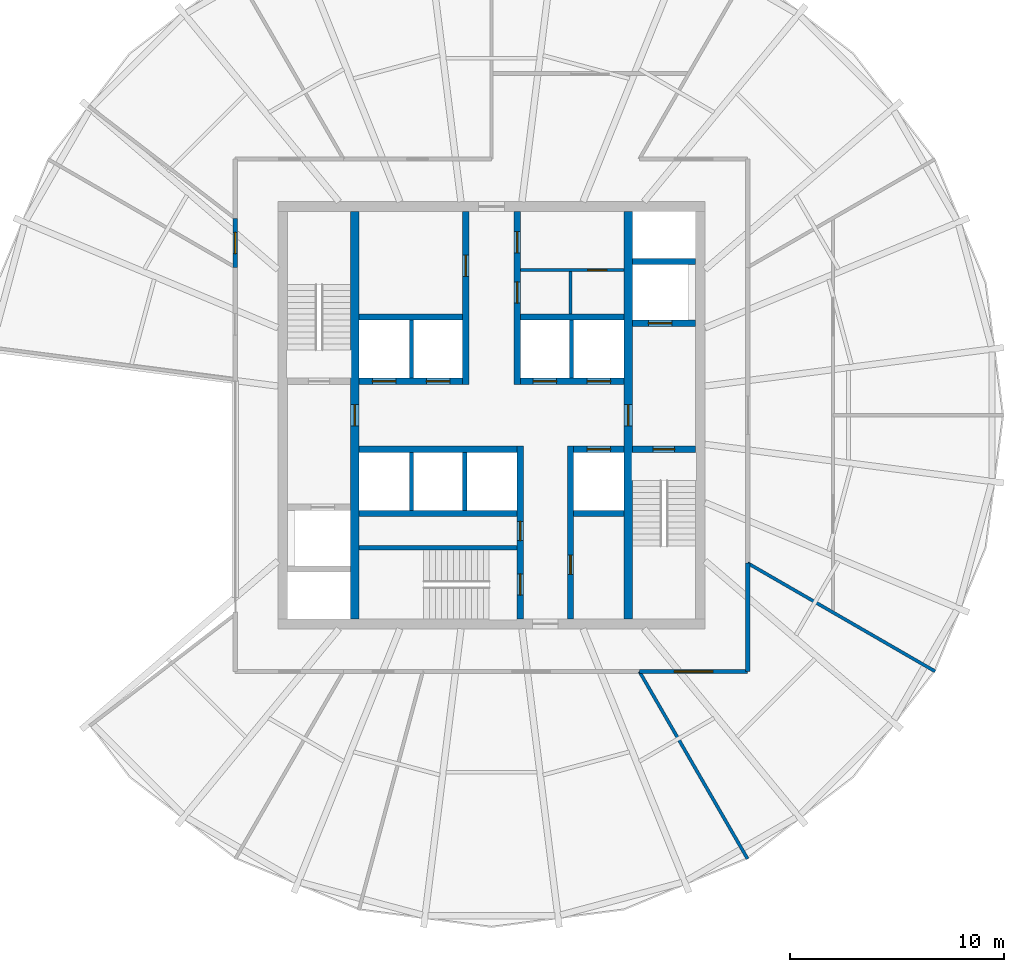
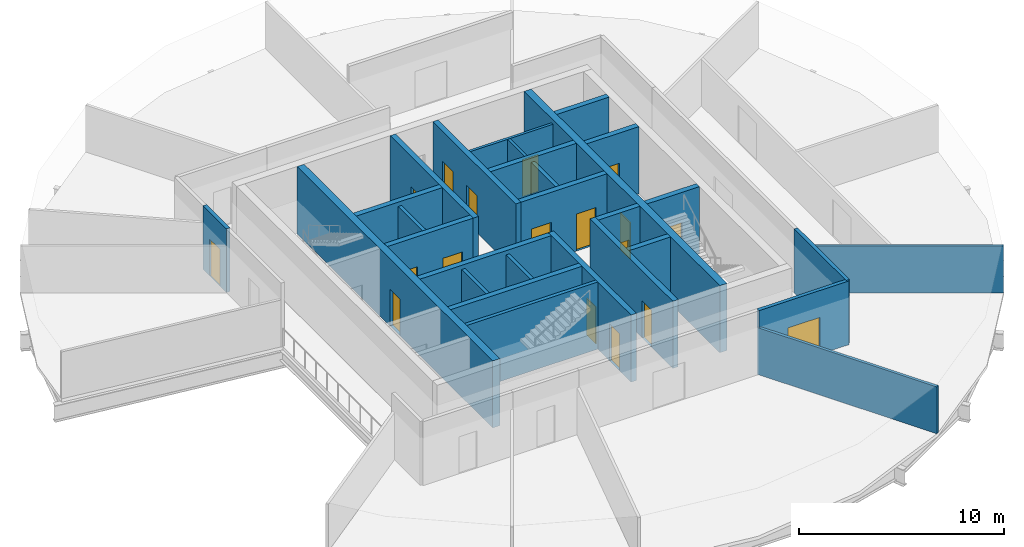
# One storey, part 3 of 5: 29 walls, 18 doors, 18 openings.
"""IFC4 building model written with IfcOpenShell, lengths in metres."""

from ifc_helpers import new_model, si_unit, direction, frame, frame_2d, origin, place, context, subcontext, project, spatial, rectangle, extrude, material, layer, layer_set, type_object, element, fill, save


model = new_model("IFC4")

# Units and contexts
model_context = context("Model", 3, precision=1e-05, world=origin(), true_north=direction((0.0, 1.0)))
body_context = subcontext(model_context, "Body", "Model", "MODEL_VIEW")
ifc_project = project(units=[si_unit("LENGTHUNIT", "METRE"), si_unit("AREAUNIT", "SQUARE_METRE"), si_unit("VOLUMEUNIT", "CUBIC_METRE"), si_unit("PLANEANGLEUNIT", "RADIAN"), si_unit("MASSUNIT", "GRAM", prefix="KILO")], contexts=[model_context])

# Site, building, storey
site_placement = place(None, origin())
site = spatial("IfcSite", under=ifc_project, at=site_placement, CompositionType="ELEMENT")
building_placement = place(site_placement, origin())
building = spatial("IfcBuilding", under=site, at=building_placement, Name="Golbaran Civic Tower", CompositionType="ELEMENT")
storey_placement = place(building_placement, frame((0.0, 0.0, 175.0)))
storey = spatial("IfcBuildingStorey", under=building, at=storey_placement, Name="L42", CompositionType="ELEMENT", Elevation=175.0)

# Wall, opening, door
ifc_material_1 = material(Name="Concrete block", Category="concrete")
ifc_layer_1 = layer(ifc_material_1, 0.14990234375, Name="Concrete block")
ifc_layer_set_1 = layer_set([ifc_layer_1], Name="Concrete block")
wall_type_1 = type_object("IfcWallType", Name="BLOCKWORK PARTITION 150", PredefinedType="PARTITIONING", material=ifc_layer_set_1)
wall_1_placement = place(storey_placement, frame((1.35009765625, 6.800048828125, 0.0), z_axis=(0.0, 0.0, 1.0), x_axis=(1.0, 0.0, 0.0)))
wall_1 = element("IfcWall", 1, at=wall_1_placement, inside=storey, type_object=wall_type_1, Name="Toilet block partition TN1 L42", PredefinedType="PARTITIONING", context=body_context, shape_type="SweptSolid", body=[
    extrude(rectangle(XDim=4.849853515625, YDim=0.14990234375, at=frame_2d((2.4248046875, 0.0))), origin(), (0.0, 0.0, 1.0), 3.75),
])
opening_1_placement = place(wall_1_placement, frame((3.14990234375, 0.0, 0.0)))
opening_1 = element("IfcOpeningElement", 2, at=opening_1_placement, cuts=wall_1, Name="Opening L42.CLN", PredefinedType="OPENING", context=body_context, shape_type="SweptSolid", body=[
    extrude(rectangle(XDim=0.89990234375, YDim=2.199951171875, at=frame_2d((0.449951171875, 1.10009765625))), frame((0.0, 0.0849609375, 0.0), z_axis=(0.0, -1.0, 0.0), x_axis=(1.0, 0.0, 0.0)), (0.0, 0.0, 1.0), 0.169921875),
])
ifc_material_2 = material(Name="Timber door set in steel frame", Category="steel")
door_type_1 = type_object("IfcDoorType", Name="RISER DOOR 900x2200", OperationType="SINGLE_SWING_LEFT", PredefinedType="DOOR", material=ifc_material_2)
door_1_placement = place(opening_1_placement, origin())
door_1 = element("IfcDoor", 3, at=door_1_placement, inside=storey, type_object=door_type_1, Name="Cleaner's Store door", OperationType="SINGLE_SWING_RIGHT", OverallHeight=2.199951171875, OverallWidth=0.89990234375, PredefinedType="DOOR", context=body_context, shape_type="SweptSolid", body=[
    extrude(rectangle(XDim=0.89990234375, YDim=2.199951171875, at=frame_2d((0.449951171875, 1.10009765625))), frame((0.0, 0.02490234375, 0.0), z_axis=(0.0, -1.0, 0.0), x_axis=(1.0, 0.0, 0.0)), (0.0, 0.0, 1.0), 0.050048828125),
])
fill(opening_1, door_1)

# Wall
wall_2_placement = place(storey_placement, frame((3.699951171875, 4.75, 0.0), z_axis=(0.0, 0.0, 1.0), x_axis=(0.0, 1.0, 0.0)))
element("IfcWall", 4, at=wall_2_placement, inside=storey, type_object=wall_type_1, Name="Toilet block partition TN2 L42", PredefinedType="PARTITIONING", context=body_context, shape_type="SweptSolid", body=[
    extrude(rectangle(XDim=1.97509765625, YDim=0.14990234375, at=frame_2d((0.987548828125, 0.0))), origin(), (0.0, 0.0, 1.0), 3.75),
])

# Wall, opening, door
ifc_material_3 = material(Name="Concrete C50/60", Category="concrete")
ifc_layer_2 = layer(ifc_material_3, 0.39990234375, Name="Concrete C50/60")
ifc_layer_set_2 = layer_set([ifc_layer_2], Name="Concrete C50/60")
wall_type_2 = type_object("IfcWallType", Name="CORE WALL CONCRETE 400", PredefinedType="SOLIDWALL", material=ifc_layer_set_2)
wall_3_placement = place(storey_placement, frame((-6.39990234375, -9.550048828125, 0.0), z_axis=(0.0, 0.0, 1.0), x_axis=(0.0, 1.0, 0.0)))
wall_3 = element("IfcWall", 5, at=wall_3_placement, inside=storey, type_object=wall_type_2, Name="Core wall IW L42", PredefinedType="SOLIDWALL", context=body_context, shape_type="SweptSolid", body=[
    extrude(rectangle(XDim=19.10009765625, YDim=0.39990234375, at=frame_2d((9.550048828125, 0.0))), origin(), (0.0, 0.0, 1.0), 4.0),
])
opening_2_placement = place(wall_3_placement, frame((9.050048828125, 0.0, 0.0)))
opening_2 = element("IfcOpeningElement", 6, at=opening_2_placement, cuts=wall_3, Name="Opening L42.FL1", PredefinedType="OPENING", context=body_context, shape_type="SweptSolid", body=[
    extrude(rectangle(XDim=1.0, YDim=2.199951171875, at=frame_2d((0.5, 1.10009765625))), frame((0.0, 0.2099609375, 0.0), z_axis=(0.0, -1.0, 0.0), x_axis=(1.0, 0.0, 0.0)), (0.0, 0.0, 1.0), 0.419921875),
])
door_type_2 = type_object("IfcDoorType", Name="STAIR DOOR 1000x2200", OperationType="SINGLE_SWING_LEFT", PredefinedType="DOOR", material=ifc_material_2)
door_2_placement = place(opening_2_placement, origin())
door_2 = element("IfcDoor", 7, at=door_2_placement, inside=storey, type_object=door_type_2, Name="Fire-fighting lobby FL1 door", OperationType="SINGLE_SWING_LEFT", OverallHeight=2.199951171875, OverallWidth=1.0, PredefinedType="DOOR", context=body_context, shape_type="SweptSolid", body=[
    extrude(rectangle(XDim=1.0, YDim=2.199951171875, at=frame_2d((0.5, 1.10009765625))), frame((0.0, 0.02490234375, 0.0), z_axis=(0.0, -1.0, 0.0), x_axis=(1.0, 0.0, 0.0)), (0.0, 0.0, 1.0), 0.050048828125),
])
fill(opening_2, door_2)

wall_4_placement = place(storey_placement, frame((6.39990234375, 9.550048828125, 0.0), z_axis=(0.0, 0.0, 1.0), x_axis=(0.0, -1.0, 0.0)))
wall_4 = element("IfcWall", 8, at=wall_4_placement, inside=storey, type_object=wall_type_2, Name="Core wall IE L42", PredefinedType="SOLIDWALL", context=body_context, shape_type="SweptSolid", body=[
    extrude(rectangle(XDim=19.10009765625, YDim=0.39990234375, at=frame_2d((9.550048828125, 0.0))), origin(), (0.0, 0.0, 1.0), 4.0),
])
opening_3_placement = place(wall_4_placement, frame((9.050048828125, 0.0, 0.0)))
opening_3 = element("IfcOpeningElement", 9, at=opening_3_placement, cuts=wall_4, Name="Opening L42.FL2", PredefinedType="OPENING", context=body_context, shape_type="SweptSolid", body=[
    extrude(rectangle(XDim=1.0, YDim=2.199951171875, at=frame_2d((0.5, 1.10009765625))), frame((0.0, 0.2099609375, 0.0), z_axis=(0.0, -1.0, 0.0), x_axis=(1.0, 0.0, 0.0)), (0.0, 0.0, 1.0), 0.419921875),
])
door_3_placement = place(opening_3_placement, origin())
door_3 = element("IfcDoor", 10, at=door_3_placement, inside=storey, type_object=door_type_2, Name="Fire-fighting lobby FL2 door", OperationType="SINGLE_SWING_RIGHT", OverallHeight=2.199951171875, OverallWidth=1.0, PredefinedType="DOOR", context=body_context, shape_type="SweptSolid", body=[
    extrude(rectangle(XDim=1.0, YDim=2.199951171875, at=frame_2d((0.5, 1.10009765625))), frame((0.0, 0.02490234375, 0.0), z_axis=(0.0, -1.0, 0.0), x_axis=(1.0, 0.0, 0.0)), (0.0, 0.0, 1.0), 0.050048828125),
])
fill(opening_3, door_3)

ifc_material_4 = material(Name="Gypsum board on steel studs, fire-rated", Category="steel")
ifc_layer_3 = layer(ifc_material_4, 0.199951171875, Name="Gypsum board on steel studs, fire-rated")
ifc_layer_set_3 = layer_set([ifc_layer_3], Name="Gypsum board on steel studs, fire-rated")
wall_type_3 = type_object("IfcWallType", Name="CORRIDOR WALL 200", PredefinedType="PARTITIONING", material=ifc_layer_set_3)
wall_5_placement = place(storey_placement, frame((-12.0, 9.2080078125, 0.0), z_axis=(0.0, 0.0, 1.0), x_axis=(0.0, -1.0, 0.0)))
wall_5 = element("IfcWall", 11, at=wall_5_placement, inside=storey, type_object=wall_type_3, Name="Corridor wall L42", PredefinedType="PARTITIONING", context=body_context, shape_type="SweptSolid", body=[
    extrude(rectangle(XDim=2.27978515625, YDim=0.199951171875, at=frame_2d((1.139892578125, 0.0))), origin(), (0.0, 0.0, 1.0), 3.800048828125),
])
opening_4_placement = place(wall_5_placement, frame((0.639892578125, 0.0, 0.0)))
opening_4 = element("IfcOpeningElement", 12, at=opening_4_placement, cuts=wall_5, Name="Opening L42.08", PredefinedType="OPENING", context=body_context, shape_type="SweptSolid", body=[
    extrude(rectangle(XDim=1.0, YDim=2.199951171875, at=frame_2d((0.5, 1.10009765625))), frame((0.0, 0.10986328125, 0.0), z_axis=(0.0, -1.0, 0.0), x_axis=(1.0, 0.0, 0.0)), (0.0, 0.0, 1.0), 0.219970703125),
])
door_type_3 = type_object("IfcDoorType", Name="OFFICE DOOR 1000x2200", OperationType="SINGLE_SWING_LEFT", PredefinedType="DOOR", material=ifc_material_2)
door_4_placement = place(opening_4_placement, origin())
door_4 = element("IfcDoor", 13, at=door_4_placement, inside=storey, type_object=door_type_3, Name="Store door L42", OperationType="SINGLE_SWING_RIGHT", OverallHeight=2.199951171875, OverallWidth=1.0, PredefinedType="DOOR", context=body_context, shape_type="SweptSolid", body=[
    extrude(rectangle(XDim=1.0, YDim=2.199951171875, at=frame_2d((0.5, 1.10009765625))), frame((0.0, 0.02490234375, 0.0), z_axis=(0.0, -1.0, 0.0), x_axis=(1.0, 0.0, 0.0)), (0.0, 0.0, 1.0), 0.050048828125),
])
fill(opening_4, door_4)

wall_6_placement = place(storey_placement, frame((6.92822265625, -12.0, 0.0), z_axis=(0.0, 0.0, 1.0), x_axis=(1.0, 0.0, 0.0)))
wall_6 = element("IfcWall", 14, at=wall_6_placement, inside=storey, type_object=wall_type_3, Name="Corridor wall L42", PredefinedType="PARTITIONING", context=body_context, shape_type="SweptSolid", body=[
    extrude(rectangle(XDim=5.07177734375, YDim=0.199951171875, at=frame_2d((2.535888671875, 0.0))), origin(), (0.0, 0.0, 1.0), 3.800048828125),
])
opening_5_placement = place(wall_6_placement, frame((1.635986328125, 0.0, 0.0)))
opening_5 = element("IfcOpeningElement", 15, at=opening_5_placement, cuts=wall_6, Name="Opening L42.13", PredefinedType="OPENING", context=body_context, shape_type="SweptSolid", body=[
    extrude(rectangle(XDim=1.800048828125, YDim=2.199951171875, at=frame_2d((0.89990234375, 1.10009765625))), frame((0.0, 0.10986328125, 0.0), z_axis=(0.0, -1.0, 0.0), x_axis=(1.0, 0.0, 0.0)), (0.0, 0.0, 1.0), 0.219970703125),
])
door_type_4 = type_object("IfcDoorType", Name="OFFICE DOUBLE DOOR 1800x2200", OperationType="DOUBLE_DOOR_SINGLE_SWING", PredefinedType="DOOR", material=ifc_material_2)
door_5_placement = place(opening_5_placement, origin())
door_5 = element("IfcDoor", 16, at=door_5_placement, inside=storey, type_object=door_type_4, Name="Open Office door L42", OperationType="DOUBLE_DOOR_SINGLE_SWING", OverallHeight=2.199951171875, OverallWidth=1.800048828125, PredefinedType="DOOR", context=body_context, shape_type="SweptSolid", body=[
    extrude(rectangle(XDim=1.800048828125, YDim=2.199951171875, at=frame_2d((0.89990234375, 1.10009765625))), frame((0.0, 0.02490234375, 0.0), z_axis=(0.0, -1.0, 0.0), x_axis=(1.0, 0.0, 0.0)), (0.0, 0.0, 1.0), 0.050048828125),
])
fill(opening_5, door_5)

# Walls
wall_7_placement = place(storey_placement, frame((12.0, -12.0, 0.0), z_axis=(0.0, 0.0, 1.0), x_axis=(0.0, 1.0, 0.0)))
element("IfcWall", 17, at=wall_7_placement, inside=storey, type_object=wall_type_3, Name="Corridor wall L42", PredefinedType="PARTITIONING", context=body_context, shape_type="SweptSolid", body=[
    extrude(rectangle(XDim=5.07177734375, YDim=0.199951171875, at=frame_2d((2.535888671875, 0.0))), origin(), (0.0, 0.0, 1.0), 3.800048828125),
])
ifc_layer_4 = layer(ifc_material_1, 0.199951171875, Name="Concrete block")
ifc_layer_set_4 = layer_set([ifc_layer_4], Name="Concrete block")
wall_type_4 = type_object("IfcWallType", Name="LIFT SEPARATOR WALL 200", PredefinedType="SOLIDWALL", material=ifc_layer_set_4)
for number, where, z_axis, x_axis, name in (
    (18, (-3.75, 1.75, 0.0), (0.0, 0.0, 1.0), (0.0, 1.0, 0.0), "Core partition SNW L42"),
    (19, (3.75, 1.75, 0.0), (0.0, 0.0, 1.0), (0.0, 1.0, 0.0), "Core partition SNE L42"),
    (20, (-3.75, -1.75, 0.0), (0.0, 0.0, 1.0), (0.0, -1.0, 0.0), "Core partition SSW L42"),
    (21, (-1.25, -1.75, 0.0), (0.0, 0.0, 1.0), (0.0, -1.0, 0.0), "Core partition SSM L42"),
):
    element("IfcWall", number, at=place(storey_placement, frame(where, z_axis=z_axis, x_axis=x_axis)), inside=storey, type_object=wall_type_4, Name=name, PredefinedType="SOLIDWALL", context=body_context, shape_type="SweptSolid", body=[
        extrude(rectangle(XDim=2.699951171875, YDim=0.199951171875, at=frame_2d((1.35009765625, 0.0))), origin(), (0.0, 0.0, 1.0), 3.75),
    ])
ifc_material_5 = material(Name="Gypsum board on steel studs", Category="steel")
ifc_layer_5 = layer(ifc_material_5, 0.14990234375, Name="Gypsum board on steel studs")
ifc_layer_set_5 = layer_set([ifc_layer_5], Name="Gypsum board on steel studs")
wall_type_5 = type_object("IfcWallType", Name="OFFICE PARTITION 150", PredefinedType="PARTITIONING", material=ifc_layer_set_5)
for number, where, z_axis, x_axis, name in (
    (22, (12.0, -6.92822265625, 0.0), (0.0, 0.0, 1.0), (0.866025941747, -0.49999906822, 0.0), "Partition 330 L42"),
    (23, (6.92822265625, -12.0, 0.0), (0.0, 0.0, 1.0), (0.49999906822, -0.866025941747, 0.0), "Partition 300 L42"),
):
    element("IfcWall", number, at=place(storey_placement, frame(where, z_axis=z_axis, x_axis=x_axis)), inside=storey, type_object=wall_type_5, Name=name, PredefinedType="PARTITIONING", context=body_context, shape_type="SweptSolid", body=[
        extrude(rectangle(XDim=10.1357421875, YDim=0.14990234375, at=frame_2d((5.06787109375, 0.0))), origin(), (0.0, 0.0, 1.0), 2.7900390625),
    ])
ifc_layer_6 = layer(ifc_material_3, 0.199951171875, Name="Concrete C50/60")
ifc_layer_set_6 = layer_set([ifc_layer_6], Name="Concrete C50/60")
wall_type_6 = type_object("IfcWallType", Name="SHAFT WALL CONCRETE 200", PredefinedType="SOLIDWALL", material=ifc_layer_set_6)
wall_8_placement = place(storey_placement, frame((-6.199951171875, -6.199951171875, 0.0), z_axis=(0.0, 0.0, 1.0), x_axis=(1.0, 0.0, 0.0)))
element("IfcWall", 24, at=wall_8_placement, inside=storey, type_object=wall_type_6, Name="Core wall S3N L42", PredefinedType="SOLIDWALL", context=body_context, shape_type="SweptSolid", body=[
    extrude(rectangle(XDim=7.39990234375, YDim=0.199951171875, at=frame_2d((3.699951171875, 0.0))), origin(), (0.0, 0.0, 1.0), 4.0),
])

# Wall, openings, doors
ifc_layer_7 = layer(ifc_material_3, 0.300048828125, Name="Concrete C50/60")
ifc_layer_set_7 = layer_set([ifc_layer_7], Name="Concrete C50/60")
wall_type_7 = type_object("IfcWallType", Name="SHAFT WALL CONCRETE 300", PredefinedType="SOLIDWALL", material=ifc_layer_set_7)
wall_9_placement = place(storey_placement, frame((-6.199951171875, 1.60009765625, 0.0), z_axis=(0.0, 0.0, 1.0), x_axis=(1.0, 0.0, 0.0)))
wall_9 = element("IfcWall", 25, at=wall_9_placement, inside=storey, type_object=wall_type_7, Name="Core wall FNW L42", PredefinedType="SOLIDWALL", context=body_context, shape_type="SweptSolid", body=[
    extrude(rectangle(XDim=4.849853515625, YDim=0.300048828125, at=frame_2d((2.4248046875, 0.0))), origin(), (0.0, 0.0, 1.0), 4.0),
])
opening_6_placement = place(wall_9_placement, frame((0.625, 0.0, 0.0)))
opening_6 = element("IfcOpeningElement", 26, at=opening_6_placement, cuts=wall_9, Name="Opening L42.LD-Z1H", PredefinedType="OPENING", context=body_context, shape_type="SweptSolid", body=[
    extrude(rectangle(XDim=1.10009765625, YDim=2.199951171875, at=frame_2d((0.550048828125, 1.10009765625))), frame((0.0, 0.159912109375, 0.0), z_axis=(0.0, -1.0, 0.0), x_axis=(1.0, 0.0, 0.0)), (0.0, 0.0, 1.0), 0.320068359375),
])
opening_7_placement = place(wall_9_placement, frame((3.14990234375, 0.0, 0.0)))
opening_7 = element("IfcOpeningElement", 27, at=opening_7_placement, cuts=wall_9, Name="Opening L42.LD-Z2H", PredefinedType="OPENING", context=body_context, shape_type="SweptSolid", body=[
    extrude(rectangle(XDim=1.10009765625, YDim=2.199951171875, at=frame_2d((0.550048828125, 1.10009765625))), frame((0.0, 0.159912109375, 0.0), z_axis=(0.0, -1.0, 0.0), x_axis=(1.0, 0.0, 0.0)), (0.0, 0.0, 1.0), 0.320068359375),
])
ifc_material_6 = material(Name="Stainless steel", Category="steel")
door_type_5 = type_object("IfcDoorType", Name="LIFT LANDING DOOR 1100x2200", OperationType="SLIDING_TO_LEFT", PredefinedType="DOOR", material=ifc_material_6)
door_6_placement = place(opening_6_placement, origin())
door_6 = element("IfcDoor", 28, at=door_6_placement, inside=storey, type_object=door_type_5, Name="Lift landing door Z1H", OperationType="SLIDING_TO_LEFT", OverallHeight=2.199951171875, OverallWidth=1.10009765625, PredefinedType="DOOR", context=body_context, shape_type="SweptSolid", body=[
    extrude(rectangle(XDim=1.10009765625, YDim=2.199951171875, at=frame_2d((0.550048828125, 1.10009765625))), frame((0.0, 0.02490234375, 0.0), z_axis=(0.0, -1.0, 0.0), x_axis=(1.0, 0.0, 0.0)), (0.0, 0.0, 1.0), 0.050048828125),
])
fill(opening_6, door_6)
door_7_placement = place(opening_7_placement, origin())
door_7 = element("IfcDoor", 29, at=door_7_placement, inside=storey, type_object=door_type_5, Name="Lift landing door Z2H", OperationType="SLIDING_TO_LEFT", OverallHeight=2.199951171875, OverallWidth=1.10009765625, PredefinedType="DOOR", context=body_context, shape_type="SweptSolid", body=[
    extrude(rectangle(XDim=1.10009765625, YDim=2.199951171875, at=frame_2d((0.550048828125, 1.10009765625))), frame((0.0, 0.02490234375, 0.0), z_axis=(0.0, -1.0, 0.0), x_axis=(1.0, 0.0, 0.0)), (0.0, 0.0, 1.0), 0.050048828125),
])
fill(opening_7, door_7)

wall_10_placement = place(storey_placement, frame((1.35009765625, 1.60009765625, 0.0), z_axis=(0.0, 0.0, 1.0), x_axis=(1.0, 0.0, 0.0)))
wall_10 = element("IfcWall", 30, at=wall_10_placement, inside=storey, type_object=wall_type_7, Name="Core wall FNE L42", PredefinedType="SOLIDWALL", context=body_context, shape_type="SweptSolid", body=[
    extrude(rectangle(XDim=4.849853515625, YDim=0.300048828125, at=frame_2d((2.4248046875, 0.0))), origin(), (0.0, 0.0, 1.0), 4.0),
])
opening_8_placement = place(wall_10_placement, frame((0.60009765625, 0.0, 0.0)))
opening_8 = element("IfcOpeningElement", 31, at=opening_8_placement, cuts=wall_10, Name="Opening L42.LD-Z3H", PredefinedType="OPENING", context=body_context, shape_type="SweptSolid", body=[
    extrude(rectangle(XDim=1.10009765625, YDim=2.199951171875, at=frame_2d((0.550048828125, 1.10009765625))), frame((0.0, 0.159912109375, 0.0), z_axis=(0.0, -1.0, 0.0), x_axis=(1.0, 0.0, 0.0)), (0.0, 0.0, 1.0), 0.320068359375),
])
opening_9_placement = place(wall_10_placement, frame((3.125, 0.0, 0.0)))
opening_9 = element("IfcOpeningElement", 32, at=opening_9_placement, cuts=wall_10, Name="Opening L42.LD-Z4H", PredefinedType="OPENING", context=body_context, shape_type="SweptSolid", body=[
    extrude(rectangle(XDim=1.10009765625, YDim=2.199951171875, at=frame_2d((0.550048828125, 1.10009765625))), frame((0.0, 0.159912109375, 0.0), z_axis=(0.0, -1.0, 0.0), x_axis=(1.0, 0.0, 0.0)), (0.0, 0.0, 1.0), 0.320068359375),
])
door_8_placement = place(opening_8_placement, origin())
door_8 = element("IfcDoor", 33, at=door_8_placement, inside=storey, type_object=door_type_5, Name="Lift landing door Z3H", OperationType="SLIDING_TO_LEFT", OverallHeight=2.199951171875, OverallWidth=1.10009765625, PredefinedType="DOOR", context=body_context, shape_type="SweptSolid", body=[
    extrude(rectangle(XDim=1.10009765625, YDim=2.199951171875, at=frame_2d((0.550048828125, 1.10009765625))), frame((0.0, 0.02490234375, 0.0), z_axis=(0.0, -1.0, 0.0), x_axis=(1.0, 0.0, 0.0)), (0.0, 0.0, 1.0), 0.050048828125),
])
fill(opening_8, door_8)
door_9_placement = place(opening_9_placement, origin())
door_9 = element("IfcDoor", 34, at=door_9_placement, inside=storey, type_object=door_type_5, Name="Lift landing door Z4H", OperationType="SLIDING_TO_LEFT", OverallHeight=2.199951171875, OverallWidth=1.10009765625, PredefinedType="DOOR", context=body_context, shape_type="SweptSolid", body=[
    extrude(rectangle(XDim=1.10009765625, YDim=2.199951171875, at=frame_2d((0.550048828125, 1.10009765625))), frame((0.0, 0.02490234375, 0.0), z_axis=(0.0, -1.0, 0.0), x_axis=(1.0, 0.0, 0.0)), (0.0, 0.0, 1.0), 0.050048828125),
])
fill(opening_9, door_9)

# Walls
for number, where, z_axis, x_axis, name in (
    (35, (-6.199951171875, 4.60009765625, 0.0), (0.0, 0.0, 1.0), (1.0, 0.0, 0.0), "Core wall BNW L42"),
    (36, (1.35009765625, 4.60009765625, 0.0), (0.0, 0.0, 1.0), (1.0, 0.0, 0.0), "Core wall BNE L42"),
):
    element("IfcWall", number, at=place(storey_placement, frame(where, z_axis=z_axis, x_axis=x_axis)), inside=storey, type_object=wall_type_7, Name=name, PredefinedType="SOLIDWALL", context=body_context, shape_type="SweptSolid", body=[
        extrude(rectangle(XDim=4.849853515625, YDim=0.300048828125, at=frame_2d((2.4248046875, 0.0))), origin(), (0.0, 0.0, 1.0), 4.0),
    ])

# Wall, opening, door
wall_11_placement = place(storey_placement, frame((-1.199951171875, 1.449951171875, 0.0), z_axis=(0.0, 0.0, 1.0), x_axis=(0.0, 1.0, 0.0)))
wall_11 = element("IfcWall", 37, at=wall_11_placement, inside=storey, type_object=wall_type_7, Name="Core wall PNW L42", PredefinedType="SOLIDWALL", context=body_context, shape_type="SweptSolid", body=[
    extrude(rectangle(XDim=8.10009765625, YDim=0.300048828125, at=frame_2d((4.050048828125, 0.0))), origin(), (0.0, 0.0, 1.0), 4.0),
])
opening_10_placement = place(wall_11_placement, frame((5.050048828125, 0.0, 0.0)))
opening_10 = element("IfcOpeningElement", 38, at=opening_10_placement, cuts=wall_11, Name="Opening L42.WCM", PredefinedType="OPENING", context=body_context, shape_type="SweptSolid", body=[
    extrude(rectangle(XDim=1.0, YDim=2.199951171875, at=frame_2d((0.5, 1.10009765625))), frame((0.0, 0.159912109375, 0.0), z_axis=(0.0, -1.0, 0.0), x_axis=(1.0, 0.0, 0.0)), (0.0, 0.0, 1.0), 0.320068359375),
])
door_type_6 = type_object("IfcDoorType", Name="TOILET DOOR 1000x2200", OperationType="SINGLE_SWING_LEFT", PredefinedType="DOOR", material=ifc_material_2)
door_10_placement = place(opening_10_placement, origin())
door_10 = element("IfcDoor", 39, at=door_10_placement, inside=storey, type_object=door_type_6, Name="North-west toilet block door", OperationType="SINGLE_SWING_RIGHT", OverallHeight=2.199951171875, OverallWidth=1.0, PredefinedType="DOOR", context=body_context, shape_type="SweptSolid", body=[
    extrude(rectangle(XDim=1.0, YDim=2.199951171875, at=frame_2d((0.5, 1.10009765625))), frame((0.0, 0.02490234375, 0.0), z_axis=(0.0, -1.0, 0.0), x_axis=(1.0, 0.0, 0.0)), (0.0, 0.0, 1.0), 0.050048828125),
])
fill(opening_10, door_10)

# Wall, openings, doors
wall_12_placement = place(storey_placement, frame((1.199951171875, 1.449951171875, 0.0), z_axis=(0.0, 0.0, 1.0), x_axis=(0.0, 1.0, 0.0)))
wall_12 = element("IfcWall", 40, at=wall_12_placement, inside=storey, type_object=wall_type_7, Name="Core wall PNE L42", PredefinedType="SOLIDWALL", context=body_context, shape_type="SweptSolid", body=[
    extrude(rectangle(XDim=8.10009765625, YDim=0.300048828125, at=frame_2d((4.050048828125, 0.0))), origin(), (0.0, 0.0, 1.0), 4.0),
])
opening_11_placement = place(wall_12_placement, frame((3.800048828125, 0.0, 0.0)))
opening_11 = element("IfcOpeningElement", 41, at=opening_11_placement, cuts=wall_12, Name="Opening L42.WCA", PredefinedType="OPENING", context=body_context, shape_type="SweptSolid", body=[
    extrude(rectangle(XDim=1.0, YDim=2.199951171875, at=frame_2d((0.5, 1.10009765625))), frame((0.0, 0.159912109375, 0.0), z_axis=(0.0, -1.0, 0.0), x_axis=(1.0, 0.0, 0.0)), (0.0, 0.0, 1.0), 0.320068359375),
])
opening_12_placement = place(wall_12_placement, frame((6.14990234375, 0.0, 0.0)))
opening_12 = element("IfcOpeningElement", 42, at=opening_12_placement, cuts=wall_12, Name="Opening L42.WCF", PredefinedType="OPENING", context=body_context, shape_type="SweptSolid", body=[
    extrude(rectangle(XDim=1.0, YDim=2.199951171875, at=frame_2d((0.5, 1.10009765625))), frame((0.0, 0.159912109375, 0.0), z_axis=(0.0, -1.0, 0.0), x_axis=(1.0, 0.0, 0.0)), (0.0, 0.0, 1.0), 0.320068359375),
])
door_11_placement = place(opening_11_placement, origin())
door_11 = element("IfcDoor", 43, at=door_11_placement, inside=storey, type_object=door_type_6, Name="Accessible WC door", OperationType="SINGLE_SWING_RIGHT", OverallHeight=2.199951171875, OverallWidth=1.0, PredefinedType="DOOR", context=body_context, shape_type="SweptSolid", body=[
    extrude(rectangle(XDim=1.0, YDim=2.199951171875, at=frame_2d((0.5, 1.10009765625))), frame((0.0, 0.02490234375, 0.0), z_axis=(0.0, -1.0, 0.0), x_axis=(1.0, 0.0, 0.0)), (0.0, 0.0, 1.0), 0.050048828125),
])
fill(opening_11, door_11)
door_12_placement = place(opening_12_placement, origin())
door_12 = element("IfcDoor", 44, at=door_12_placement, inside=storey, type_object=door_type_6, Name="North-east toilet block door", OperationType="SINGLE_SWING_RIGHT", OverallHeight=2.199951171875, OverallWidth=1.0, PredefinedType="DOOR", context=body_context, shape_type="SweptSolid", body=[
    extrude(rectangle(XDim=1.0, YDim=2.199951171875, at=frame_2d((0.5, 1.10009765625))), frame((0.0, 0.02490234375, 0.0), z_axis=(0.0, -1.0, 0.0), x_axis=(1.0, 0.0, 0.0)), (0.0, 0.0, 1.0), 0.050048828125),
])
fill(opening_12, door_12)

# Wall
wall_13_placement = place(storey_placement, frame((-6.199951171875, -1.60009765625, 0.0), z_axis=(0.0, 0.0, 1.0), x_axis=(1.0, 0.0, 0.0)))
element("IfcWall", 45, at=wall_13_placement, inside=storey, type_object=wall_type_7, Name="Core wall FSW L42", PredefinedType="SOLIDWALL", context=body_context, shape_type="SweptSolid", body=[
    extrude(rectangle(XDim=7.39990234375, YDim=0.300048828125, at=frame_2d((3.699951171875, 0.0))), origin(), (0.0, 0.0, 1.0), 4.0),
])

# Wall, opening, door
wall_14_placement = place(storey_placement, frame((3.85009765625, -1.60009765625, 0.0), z_axis=(0.0, 0.0, 1.0), x_axis=(1.0, 0.0, 0.0)))
wall_14 = element("IfcWall", 46, at=wall_14_placement, inside=storey, type_object=wall_type_7, Name="Core wall FSE L42", PredefinedType="SOLIDWALL", context=body_context, shape_type="SweptSolid", body=[
    extrude(rectangle(XDim=2.349853515625, YDim=0.300048828125, at=frame_2d((1.1748046875, 0.0))), origin(), (0.0, 0.0, 1.0), 4.0),
])
opening_13_placement = place(wall_14_placement, frame((0.625, 0.0, 0.0)))
opening_13 = element("IfcOpeningElement", 47, at=opening_13_placement, cuts=wall_14, Name="Opening L42.LD-V1", PredefinedType="OPENING", context=body_context, shape_type="SweptSolid", body=[
    extrude(rectangle(XDim=1.10009765625, YDim=2.199951171875, at=frame_2d((0.550048828125, 1.10009765625))), frame((0.0, 0.159912109375, 0.0), z_axis=(0.0, -1.0, 0.0), x_axis=(1.0, 0.0, 0.0)), (0.0, 0.0, 1.0), 0.320068359375),
])
door_13_placement = place(opening_13_placement, origin())
door_13 = element("IfcDoor", 48, at=door_13_placement, inside=storey, type_object=door_type_5, Name="Lift landing door V1", OperationType="SLIDING_TO_LEFT", OverallHeight=2.199951171875, OverallWidth=1.10009765625, PredefinedType="DOOR", context=body_context, shape_type="SweptSolid", body=[
    extrude(rectangle(XDim=1.10009765625, YDim=2.199951171875, at=frame_2d((0.550048828125, 1.10009765625))), frame((0.0, 0.02490234375, 0.0), z_axis=(0.0, -1.0, 0.0), x_axis=(1.0, 0.0, 0.0)), (0.0, 0.0, 1.0), 0.050048828125),
])
fill(opening_13, door_13)

# Walls
wall_15_placement = place(storey_placement, frame((-6.199951171875, -4.60009765625, 0.0), z_axis=(0.0, 0.0, 1.0), x_axis=(1.0, 0.0, 0.0)))
element("IfcWall", 49, at=wall_15_placement, inside=storey, type_object=wall_type_7, Name="Core wall BSW L42", PredefinedType="SOLIDWALL", context=body_context, shape_type="SweptSolid", body=[
    extrude(rectangle(XDim=7.39990234375, YDim=0.300048828125, at=frame_2d((3.699951171875, 0.0))), origin(), (0.0, 0.0, 1.0), 4.0),
])
wall_16_placement = place(storey_placement, frame((3.85009765625, -4.60009765625, 0.0), z_axis=(0.0, 0.0, 1.0), x_axis=(1.0, 0.0, 0.0)))
element("IfcWall", 50, at=wall_16_placement, inside=storey, type_object=wall_type_7, Name="Core wall BSE L42", PredefinedType="SOLIDWALL", context=body_context, shape_type="SweptSolid", body=[
    extrude(rectangle(XDim=2.349853515625, YDim=0.300048828125, at=frame_2d((1.1748046875, 0.0))), origin(), (0.0, 0.0, 1.0), 4.0),
])

# Wall, openings, doors
wall_17_placement = place(storey_placement, frame((1.35009765625, -1.449951171875, 0.0), z_axis=(0.0, 0.0, 1.0), x_axis=(0.0, -1.0, 0.0)))
wall_17 = element("IfcWall", 51, at=wall_17_placement, inside=storey, type_object=wall_type_7, Name="Core wall PSW L42", PredefinedType="SOLIDWALL", context=body_context, shape_type="SweptSolid", body=[
    extrude(rectangle(XDim=8.10009765625, YDim=0.300048828125, at=frame_2d((4.050048828125, 0.0))), origin(), (0.0, 0.0, 1.0), 4.0),
])
opening_14_placement = place(wall_17_placement, frame((5.97509765625, 0.0, 0.0)))
opening_14 = element("IfcOpeningElement", 52, at=opening_14_placement, cuts=wall_17, Name="Opening L42.S3", PredefinedType="OPENING", context=body_context, shape_type="SweptSolid", body=[
    extrude(rectangle(XDim=1.0, YDim=2.199951171875, at=frame_2d((0.5, 1.10009765625))), frame((0.0, 0.159912109375, 0.0), z_axis=(0.0, -1.0, 0.0), x_axis=(1.0, 0.0, 0.0)), (0.0, 0.0, 1.0), 0.320068359375),
])
opening_15_placement = place(wall_17_placement, frame((3.52490234375, 0.0, 0.0)))
opening_15 = element("IfcOpeningElement", 53, at=opening_15_placement, cuts=wall_17, Name="Opening L42.RE", PredefinedType="OPENING", context=body_context, shape_type="SweptSolid", body=[
    extrude(rectangle(XDim=0.89990234375, YDim=2.199951171875, at=frame_2d((0.449951171875, 1.10009765625))), frame((0.0, 0.159912109375, 0.0), z_axis=(0.0, -1.0, 0.0), x_axis=(1.0, 0.0, 0.0)), (0.0, 0.0, 1.0), 0.320068359375),
])
door_14_placement = place(opening_15_placement, origin())
door_14 = element("IfcDoor", 54, at=door_14_placement, inside=storey, type_object=door_type_1, Name="Electrical riser door", OperationType="SINGLE_SWING_LEFT", OverallHeight=2.199951171875, OverallWidth=0.89990234375, PredefinedType="DOOR", context=body_context, shape_type="SweptSolid", body=[
    extrude(rectangle(XDim=0.89990234375, YDim=2.199951171875, at=frame_2d((0.449951171875, 1.10009765625))), frame((0.0, 0.02490234375, 0.0), z_axis=(0.0, -1.0, 0.0), x_axis=(1.0, 0.0, 0.0)), (0.0, 0.0, 1.0), 0.050048828125),
])
fill(opening_15, door_14)
door_15_placement = place(opening_14_placement, origin())
door_15 = element("IfcDoor", 55, at=door_15_placement, inside=storey, type_object=door_type_2, Name="Stair S3 door", OperationType="SINGLE_SWING_RIGHT", OverallHeight=2.199951171875, OverallWidth=1.0, PredefinedType="DOOR", context=body_context, shape_type="SweptSolid", body=[
    extrude(rectangle(XDim=1.0, YDim=2.199951171875, at=frame_2d((0.5, 1.10009765625))), frame((0.0, 0.02490234375, 0.0), z_axis=(0.0, -1.0, 0.0), x_axis=(1.0, 0.0, 0.0)), (0.0, 0.0, 1.0), 0.050048828125),
])
fill(opening_14, door_15)

# Wall, opening, door
wall_18_placement = place(storey_placement, frame((3.699951171875, -1.449951171875, 0.0), z_axis=(0.0, 0.0, 1.0), x_axis=(0.0, -1.0, 0.0)))
wall_18 = element("IfcWall", 56, at=wall_18_placement, inside=storey, type_object=wall_type_7, Name="Core wall PSE L42", PredefinedType="SOLIDWALL", context=body_context, shape_type="SweptSolid", body=[
    extrude(rectangle(XDim=8.10009765625, YDim=0.300048828125, at=frame_2d((4.050048828125, 0.0))), origin(), (0.0, 0.0, 1.0), 4.0),
])
opening_16_placement = place(wall_18_placement, frame((5.10009765625, 0.0, 0.0)))
opening_16 = element("IfcOpeningElement", 57, at=opening_16_placement, cuts=wall_18, Name="Opening L42.RM", PredefinedType="OPENING", context=body_context, shape_type="SweptSolid", body=[
    extrude(rectangle(XDim=0.89990234375, YDim=2.199951171875, at=frame_2d((0.449951171875, 1.10009765625))), frame((0.0, 0.159912109375, 0.0), z_axis=(0.0, -1.0, 0.0), x_axis=(1.0, 0.0, 0.0)), (0.0, 0.0, 1.0), 0.320068359375),
])
door_16_placement = place(opening_16_placement, origin())
door_16 = element("IfcDoor", 58, at=door_16_placement, inside=storey, type_object=door_type_1, Name="Mechanical riser door", OperationType="SINGLE_SWING_RIGHT", OverallHeight=2.199951171875, OverallWidth=0.89990234375, PredefinedType="DOOR", context=body_context, shape_type="SweptSolid", body=[
    extrude(rectangle(XDim=0.89990234375, YDim=2.199951171875, at=frame_2d((0.449951171875, 1.10009765625))), frame((0.0, 0.02490234375, 0.0), z_axis=(0.0, -1.0, 0.0), x_axis=(1.0, 0.0, 0.0)), (0.0, 0.0, 1.0), 0.050048828125),
])
fill(opening_16, door_16)

wall_19_placement = place(storey_placement, frame((6.60009765625, -1.60009765625, 0.0), z_axis=(0.0, 0.0, 1.0), x_axis=(1.0, 0.0, 0.0)))
wall_19 = element("IfcWall", 59, at=wall_19_placement, inside=storey, type_object=wall_type_7, Name="Core wall XE1 L42", PredefinedType="SOLIDWALL", context=body_context, shape_type="SweptSolid", body=[
    extrude(rectangle(XDim=2.949951171875, YDim=0.300048828125, at=frame_2d((1.47509765625, 0.0))), origin(), (0.0, 0.0, 1.0), 4.0),
])
opening_17_placement = place(wall_19_placement, frame((0.97509765625, 0.0, 0.0)))
opening_17 = element("IfcOpeningElement", 60, at=opening_17_placement, cuts=wall_19, Name="Opening L42.S2", PredefinedType="OPENING", context=body_context, shape_type="SweptSolid", body=[
    extrude(rectangle(XDim=1.0, YDim=2.199951171875, at=frame_2d((0.5, 1.10009765625))), frame((0.0, 0.159912109375, 0.0), z_axis=(0.0, -1.0, 0.0), x_axis=(1.0, 0.0, 0.0)), (0.0, 0.0, 1.0), 0.320068359375),
])
door_17_placement = place(opening_17_placement, origin())
door_17 = element("IfcDoor", 61, at=door_17_placement, inside=storey, type_object=door_type_2, Name="Stair S2 door", OperationType="SINGLE_SWING_LEFT", OverallHeight=2.199951171875, OverallWidth=1.0, PredefinedType="DOOR", context=body_context, shape_type="SweptSolid", body=[
    extrude(rectangle(XDim=1.0, YDim=2.199951171875, at=frame_2d((0.5, 1.10009765625))), frame((0.0, 0.02490234375, 0.0), z_axis=(0.0, -1.0, 0.0), x_axis=(1.0, 0.0, 0.0)), (0.0, 0.0, 1.0), 0.050048828125),
])
fill(opening_17, door_17)

wall_20_placement = place(storey_placement, frame((6.60009765625, 4.300048828125, 0.0), z_axis=(0.0, 0.0, 1.0), x_axis=(1.0, 0.0, 0.0)))
wall_20 = element("IfcWall", 62, at=wall_20_placement, inside=storey, type_object=wall_type_7, Name="Core wall XE2 L42", PredefinedType="SOLIDWALL", context=body_context, shape_type="SweptSolid", body=[
    extrude(rectangle(XDim=2.949951171875, YDim=0.300048828125, at=frame_2d((1.47509765625, 0.0))), origin(), (0.0, 0.0, 1.0), 4.0),
])
opening_18_placement = place(wall_20_placement, frame((0.75, 0.0, 0.0)))
opening_18 = element("IfcOpeningElement", 63, at=opening_18_placement, cuts=wall_20, Name="Opening L42.LD-F2", PredefinedType="OPENING", context=body_context, shape_type="SweptSolid", body=[
    extrude(rectangle(XDim=1.10009765625, YDim=2.199951171875, at=frame_2d((0.550048828125, 1.10009765625))), frame((0.0, 0.159912109375, 0.0), z_axis=(0.0, -1.0, 0.0), x_axis=(1.0, 0.0, 0.0)), (0.0, 0.0, 1.0), 0.320068359375),
])
door_18_placement = place(opening_18_placement, origin())
door_18 = element("IfcDoor", 64, at=door_18_placement, inside=storey, type_object=door_type_5, Name="Lift landing door F2", OperationType="SLIDING_TO_LEFT", OverallHeight=2.199951171875, OverallWidth=1.10009765625, PredefinedType="DOOR", context=body_context, shape_type="SweptSolid", body=[
    extrude(rectangle(XDim=1.10009765625, YDim=2.199951171875, at=frame_2d((0.550048828125, 1.10009765625))), frame((0.0, 0.02490234375, 0.0), z_axis=(0.0, -1.0, 0.0), x_axis=(1.0, 0.0, 0.0)), (0.0, 0.0, 1.0), 0.050048828125),
])
fill(opening_18, door_18)

# Wall
wall_21_placement = place(storey_placement, frame((6.60009765625, 7.199951171875, 0.0), z_axis=(0.0, 0.0, 1.0), x_axis=(1.0, 0.0, 0.0)))
element("IfcWall", 65, at=wall_21_placement, inside=storey, type_object=wall_type_7, Name="Core wall XE3 L42", PredefinedType="SOLIDWALL", context=body_context, shape_type="SweptSolid", body=[
    extrude(rectangle(XDim=2.949951171875, YDim=0.300048828125, at=frame_2d((1.47509765625, 0.0))), origin(), (0.0, 0.0, 1.0), 4.0),
])

save(model, "model.ifc")
